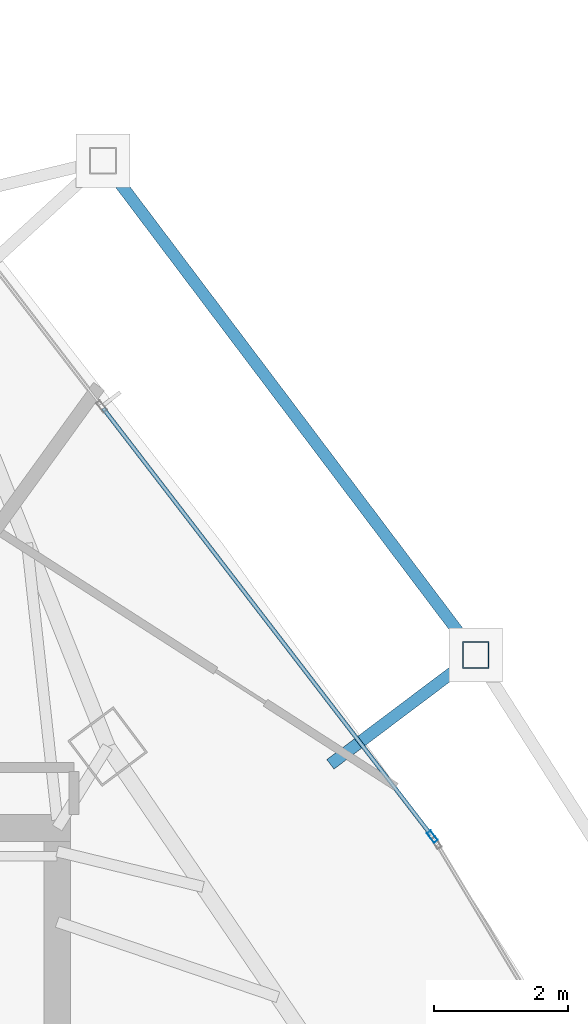
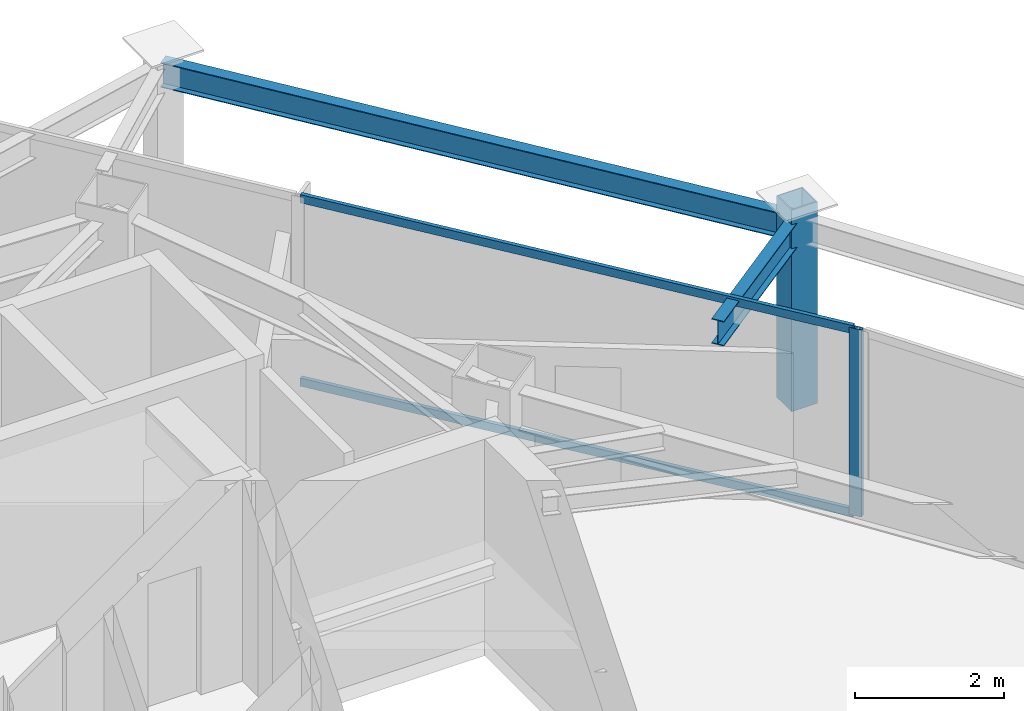
# One storey, part 22 of 29: 4 members, 2 beams, 1 element without a shape of its own.
"""IFC4 building model written with IfcOpenShell, lengths in metres."""

from ifc_helpers import new_model, si_unit, direction, frame, origin, origin_2d, place, context, subcontext, project, spatial, hollow_rectangle, i_section, extrude, material, layer, layer_set, material_profile, profile_set, type_object, element, aggregate, save


model = new_model("IFC4")

# Units and contexts
model_context = context("Model", 3, precision=1e-05, world=origin(), true_north=direction((0.0, 1.0)))
body_context = subcontext(model_context, "Body", "Model", "MODEL_VIEW")
ifc_project = project(units=[si_unit("LENGTHUNIT", "METRE"), si_unit("AREAUNIT", "SQUARE_METRE"), si_unit("VOLUMEUNIT", "CUBIC_METRE"), si_unit("PLANEANGLEUNIT", "RADIAN"), si_unit("MASSUNIT", "GRAM", prefix="KILO")], contexts=[model_context])

# Site, building, storey
site_placement = place(None, origin())
site = spatial("IfcSite", under=ifc_project, at=site_placement, CompositionType="ELEMENT")
building_placement = place(site_placement, origin())
building = spatial("IfcBuilding", under=site, at=building_placement, Name="Orvanel Arch Residences", CompositionType="ELEMENT")
storey_placement = place(building_placement, frame((0.0, 0.0, 177.050048828125)))
storey = spatial("IfcBuildingStorey", under=building, at=storey_placement, Name="L50", CompositionType="ELEMENT", Elevation=177.050048828125)

# Curtain wall, member
ifc_material_1 = material(Name="Bronze-anodised aluminium AA6063-T6", Category="aluminium")
ifc_layer = layer(ifc_material_1, 0.179931640625)
ifc_layer_set = layer_set([ifc_layer], Name="Bronze-anodised aluminium AA6063-T6")
curtain_wall_type = type_object("IfcCurtainWallType", Name="CW3-MID-SYS", PredefinedType="NOTDEFINED", material=ifc_layer_set)
curtain_wall_placement = place(storey_placement, origin())
curtain_wall = element("IfcCurtainWall", 1, at=curtain_wall_placement, inside=storey, type_object=curtain_wall_type, Name="L50 CW3-MID-SYS Unitised Curtain Wall", PredefinedType="NOTDEFINED")
ifc_material_profile_1 = material_profile(ifc_material_1, hollow_rectangle(XDim=0.070068359375, YDim=0.179931640625, WallThickness=0.00439453125, at=origin_2d()), Name="ALU180x70x4.5")
ifc_profile_set_1 = profile_set([ifc_material_profile_1], Name="Bronze-anodised aluminium AA6063-T6")
member_type_1 = type_object("IfcMemberType", Name="MUL-180x70", PredefinedType="MULLION", material=ifc_profile_set_1)
member_1_placement = place(storey_placement, frame((45.190673828125, 33.770751953125, 0.0), z_axis=(0.0, 0.0, 1.0), x_axis=(-0.792926030176, -0.60931790608, 0.0)))
member_1 = element("IfcMember", 2, at=member_1_placement, type_object=member_type_1, Name="CW-S3 mullion 1", PredefinedType="MULLION", context=body_context, shape_type="SweptSolid", body=[
    extrude(hollow_rectangle(XDim=0.070068359375, YDim=0.179931640625, WallThickness=0.00439453125, at=origin_2d()), origin(), (0.0, 0.0, 1.0), 3.06005859375),
])

# Beams
ifc_material_2 = material(Name="Structural steel AS/NZS 3679.1 Grade 300 (300 MPa)", Category="steel")
ifc_material_profile_2 = material_profile(ifc_material_2, i_section(OverallWidth=0.177978515625, OverallDepth=0.406005859375, WebThickness=0.0078125, FlangeThickness=0.0126953125, at=origin_2d()), Name="410UB59.7")
ifc_profile_set_2 = profile_set([ifc_material_profile_2], Name="Structural steel AS/NZS 3679.1 Grade 300 (300 MPa)")
beam_type = type_object("IfcBeamType", Name="OB-410UB-EXT", PredefinedType="SPANDREL", material=ifc_profile_set_2)
beam_1_placement = place(storey_placement, frame((43.6708984375, 34.847900390625, 2.85693359375), z_axis=(0.799004648769, 0.601324846689, 0.0), x_axis=(-0.601324846689, 0.799004648769, 0.0)))
element("IfcBeam", 3, at=beam_1_placement, inside=storey, type_object=beam_type, Name="L50 Outer Frame Radial Tie Beam 11", PredefinedType="SPANDREL", context=body_context, shape_type="SweptSolid", body=[
    extrude(i_section(OverallWidth=0.177978515625, OverallDepth=0.406005859375, WebThickness=0.0078125, FlangeThickness=0.0126953125, at=origin_2d()), origin(), (0.0, 0.0, 1.0), 2.7109375),
])
beam_2_placement = place(storey_placement, frame((45.8369140625, 36.47802734375, 2.85693359375), z_axis=(-0.602110706673, 0.79841261069, 0.0), x_axis=(-0.79841261069, -0.602110706673, 0.0)))
element("IfcBeam", 4, at=beam_2_placement, inside=storey, type_object=beam_type, Name="L50 Outer Perimeter Floor Ring Beam 11", PredefinedType="SPANDREL", context=body_context, shape_type="SweptSolid", body=[
    extrude(i_section(OverallWidth=0.177978515625, OverallDepth=0.406005859375, WebThickness=0.0078125, FlangeThickness=0.0126953125, at=origin_2d()), origin(), (0.0, 0.0, 1.0), 9.225830078125),
])

# Member
ifc_material_3 = material(Name="Structural steel AS/NZS 1163 C450L0 (Grade 450)", Category="steel")
ifc_material_profile_3 = material_profile(ifc_material_3, hollow_rectangle(XDim=0.39990234375, YDim=0.39990234375, WallThickness=0.01611328125, at=origin_2d()), Name="SHS400x400x16")
ifc_profile_set_3 = profile_set([ifc_material_profile_3], Name="Structural steel AS/NZS 1163 C450L0 (Grade 450)")
member_type_2 = type_object("IfcMemberType", Name="ST-400SHS-EXT", PredefinedType="STRUT", material=ifc_profile_set_3)
member_2_placement = place(storey_placement, frame((45.8369140625, 36.47802734375, 0.0), z_axis=(0.0, 0.0, 1.0), x_axis=(1.0, 0.0, 0.0)))
element("IfcMember", 5, at=member_2_placement, inside=storey, type_object=member_type_2, Name="L50 Outer Perimeter Frame Post 11", PredefinedType="STRUT", context=body_context, shape_type="SweptSolid", body=[
    extrude(hollow_rectangle(XDim=0.39990234375, YDim=0.39990234375, WallThickness=0.01611328125, at=origin_2d()), origin(), (0.0, 0.0, 1.0), 3.300048828125),
])

ifc_material_profile_4 = material_profile(ifc_material_1, hollow_rectangle(XDim=0.06005859375, YDim=0.135009765625, WallThickness=0.00390625, at=origin_2d()), Name="ALU135x60x4")
ifc_profile_set_4 = profile_set([ifc_material_profile_4], Name="Bronze-anodised aluminium AA6063-T6")
member_type_3 = type_object("IfcMemberType", Name="TRN-135x60", PredefinedType="USERDEFINED", material=ifc_profile_set_4)
member_3_placement = place(storey_placement, frame((45.16943359375, 33.798583984375, 0.030029296875), z_axis=(-0.609320615479, 0.792923948151, 0.0), x_axis=(-0.792923948151, -0.609320615479, 0.0)))
member_3 = element("IfcMember", 6, at=member_3_placement, type_object=member_type_3, Name="CW-S3 transom 1.1", ObjectType="TRANSOM", PredefinedType="USERDEFINED", context=body_context, shape_type="SweptSolid", body=[
    extrude(hollow_rectangle(XDim=0.06005859375, YDim=0.135009765625, WallThickness=0.00390625, at=origin_2d()), origin(), (0.0, 0.0, 1.0), 8.015625),
])

member_4_placement = place(storey_placement, frame((45.16943359375, 33.798583984375, 3.030029296875), z_axis=(-0.609320615479, 0.792923948151, 0.0), x_axis=(-0.792923948151, -0.609320615479, 0.0)))
member_4 = element("IfcMember", 7, at=member_4_placement, type_object=member_type_3, Name="CW-S3 transom 1.2", ObjectType="TRANSOM", PredefinedType="USERDEFINED", context=body_context, shape_type="SweptSolid", body=[
    extrude(hollow_rectangle(XDim=0.06005859375, YDim=0.135009765625, WallThickness=0.00390625, at=origin_2d()), origin(), (0.0, 0.0, 1.0), 8.015625),
])

aggregate(curtain_wall, [member_1, member_3, member_4])

save(model, "model.ifc")
